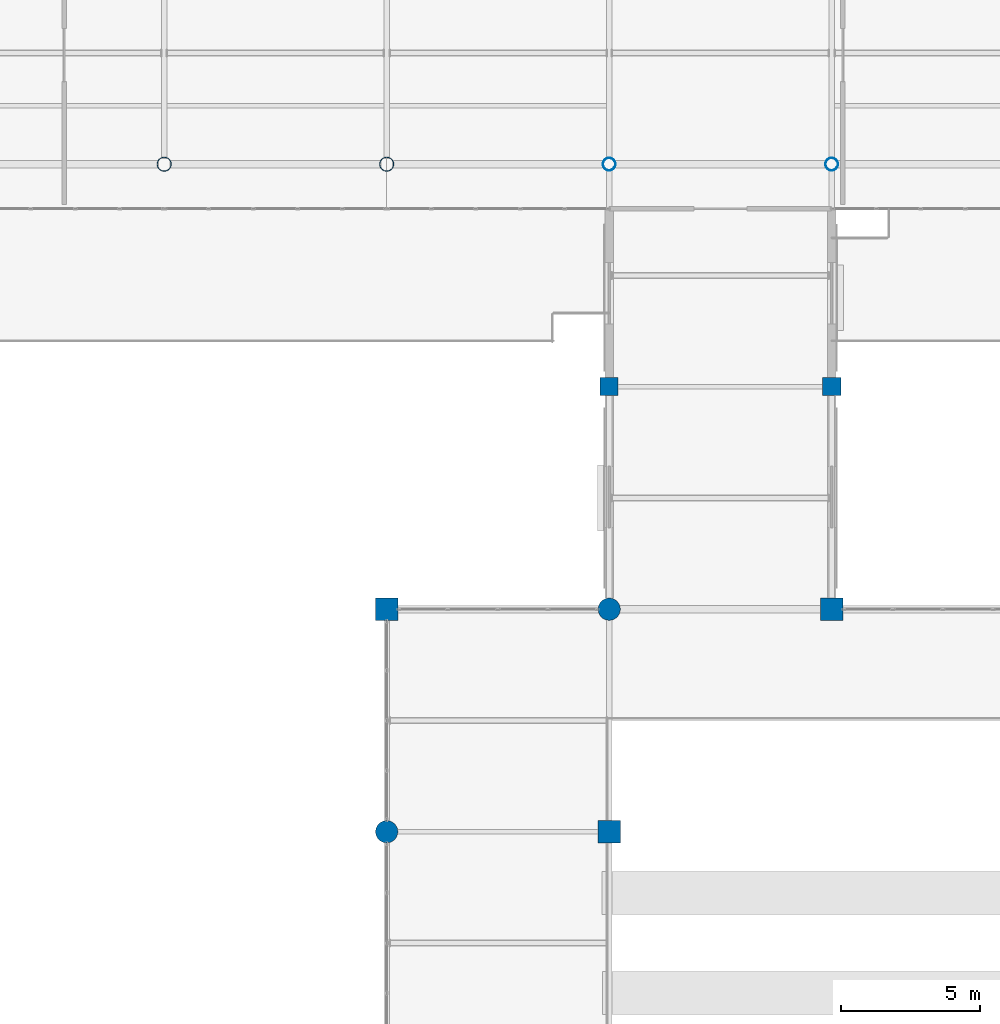
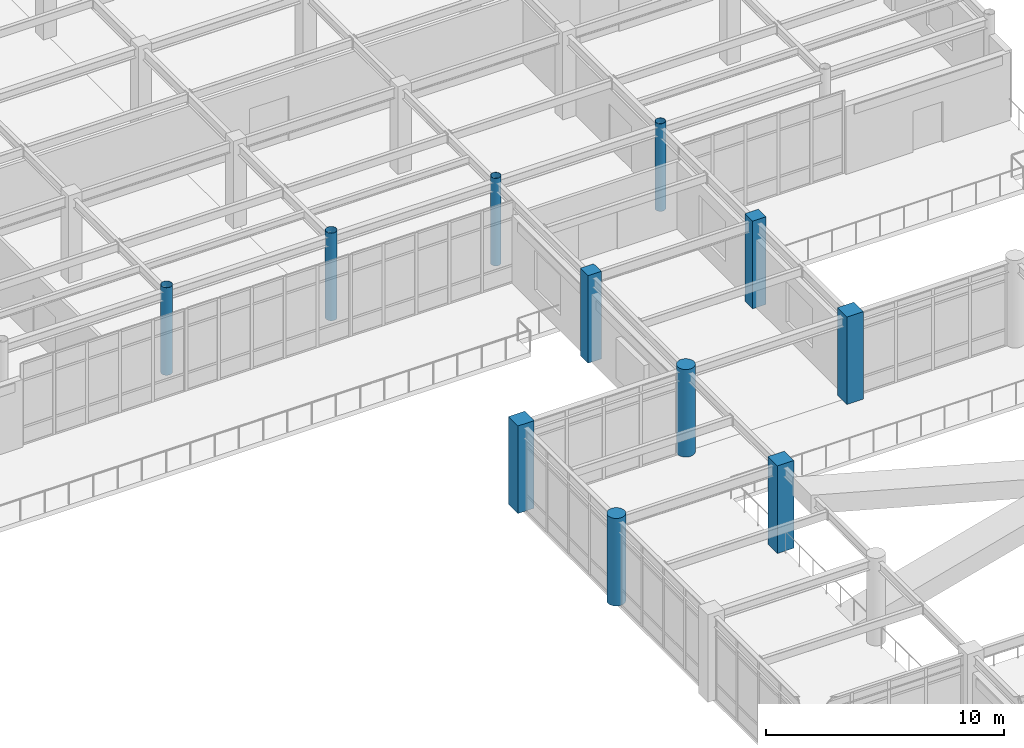
# One storey, part 9 of 93: 11 columns.
"""IFC4 building model written with IfcOpenShell, lengths in metres."""

from ifc_helpers import new_model, si_unit, direction, frame, origin, origin_2d, place, context, subcontext, project, spatial, rectangle, circle, hollow_circle, extrude, material, material_profile, profile_set, type_object, element, save


model = new_model("IFC4")

# Units and contexts
model_context = context("Model", 3, precision=1e-05, world=origin(), true_north=direction((0.0, 1.0)))
body_context = subcontext(model_context, "Body", "Model", "MODEL_VIEW")
ifc_project = project(units=[si_unit("LENGTHUNIT", "METRE"), si_unit("AREAUNIT", "SQUARE_METRE"), si_unit("VOLUMEUNIT", "CUBIC_METRE"), si_unit("PLANEANGLEUNIT", "RADIAN"), si_unit("MASSUNIT", "GRAM", prefix="KILO")], contexts=[model_context])

# Site, building, storey
site_placement = place(None, origin())
site = spatial("IfcSite", under=ifc_project, at=site_placement, CompositionType="ELEMENT")
building_placement = place(site_placement, origin())
building = spatial("IfcBuilding", under=site, at=building_placement, Name="Solmirada Galleria", CompositionType="ELEMENT")
storey_placement = place(building_placement, frame((0.0, 0.0, 14.89990234375)))
storey = spatial("IfcBuildingStorey", under=building, at=storey_placement, Name="L03", CompositionType="ELEMENT", Elevation=14.89990234375)

# Columns
ifc_material_1 = material(Name="Steel S355 / ASTM A500 Grade C", Category="steel")
ifc_material_profile_1 = material_profile(ifc_material_1, hollow_circle(Radius=0.228515625, WallThickness=0.01171875, at=origin_2d()), Name="HSS18.000X0.500")
ifc_profile_set_1 = profile_set([ifc_material_profile_1], Name="Steel S355 / ASTM A500 Grade C")
column_type_1 = type_object("IfcColumnType", Name="COL-CHS18", PredefinedType="COLUMN", material=ifc_profile_set_1)
for number, where, z_axis, x_axis, name in (
    (1, (88.0, 88.0, 0.0), (0.0, 0.0, 1.0), (1.0, 0.0, 0.0), "Structural column L03-0553"),
    (2, (96.0, 88.0, 0.0), (0.0, 0.0, 1.0), (1.0, 0.0, 0.0), "Structural column L03-0661"),
):
    element("IfcColumn", number, at=place(storey_placement, frame(where, z_axis=z_axis, x_axis=x_axis)), inside=storey, type_object=column_type_1, Name=name, PredefinedType="COLUMN", context=body_context, shape_type="SweptSolid", body=[
        extrude(hollow_circle(Radius=0.228515625, WallThickness=0.01171875, at=origin_2d()), origin(), (0.0, 0.0, 1.0), 4.5),
    ])
ifc_material_profile_2 = material_profile(ifc_material_1, hollow_circle(Radius=0.25390625, WallThickness=0.01171875, at=origin_2d()), Name="HSS20.000X0.500")
ifc_profile_set_2 = profile_set([ifc_material_profile_2], Name="Steel S355 / ASTM A500 Grade C")
column_type_2 = type_object("IfcColumnType", Name="COL-CHS20", PredefinedType="COLUMN", material=ifc_profile_set_2)
for number, where, z_axis, x_axis, name in (
    (3, (72.0, 88.0, 0.0), (0.0, 0.0, 1.0), (1.0, 0.0, 0.0), "Structural column L03-0314"),
    (4, (80.0, 88.0, 0.0), (0.0, 0.0, 1.0), (1.0, 0.0, 0.0), "Structural column L03-0431"),
):
    element("IfcColumn", number, at=place(storey_placement, frame(where, z_axis=z_axis, x_axis=x_axis)), inside=storey, type_object=column_type_2, Name=name, PredefinedType="COLUMN", context=body_context, shape_type="SweptSolid", body=[
        extrude(hollow_circle(Radius=0.25390625, WallThickness=0.01171875, at=origin_2d()), origin(), (0.0, 0.0, 1.0), 4.5),
    ])
ifc_material_2 = material(Name="Concrete C40/50", Category="concrete")
ifc_material_profile_3 = material_profile(ifc_material_2, circle(Radius=0.39990234375, at=origin_2d()), Name="RCCOL800")
ifc_profile_set_3 = profile_set([ifc_material_profile_3], Name="Concrete C40/50")
column_type_3 = type_object("IfcColumnType", Name="COL-CIR800", PredefinedType="COLUMN", material=ifc_profile_set_3)
for number, where, z_axis, x_axis, name in (
    (5, (80.0, 64.0, 0.0), (0.0, 0.0, 1.0), (1.0, 0.0, 0.0), "Structural column L03-0409"),
    (6, (88.0, 72.0, 0.0), (0.0, 0.0, 1.0), (1.0, 0.0, 0.0), "Structural column L03-0537"),
):
    element("IfcColumn", number, at=place(storey_placement, frame(where, z_axis=z_axis, x_axis=x_axis)), inside=storey, type_object=column_type_3, Name=name, PredefinedType="COLUMN", context=body_context, shape_type="SweptSolid", body=[
        extrude(circle(Radius=0.39990234375, at=origin_2d()), origin(), (0.0, 0.0, 1.0), 4.5),
    ])
ifc_material_profile_4 = material_profile(ifc_material_2, rectangle(XDim=0.64990234375, YDim=0.64990234375, at=origin_2d()), Name="RC650X650")
ifc_profile_set_4 = profile_set([ifc_material_profile_4], Name="Concrete C40/50")
column_type_4 = type_object("IfcColumnType", Name="COL-RC650", PredefinedType="COLUMN", material=ifc_profile_set_4)
for number, where, z_axis, x_axis, name in (
    (7, (88.0, 80.0, 0.0), (0.0, 0.0, 1.0), (1.0, 0.0, 0.0), "Structural column L03-0546"),
    (8, (96.0, 80.0, 0.0), (0.0, 0.0, 1.0), (1.0, 0.0, 0.0), "Structural column L03-0654"),
):
    element("IfcColumn", number, at=place(storey_placement, frame(where, z_axis=z_axis, x_axis=x_axis)), inside=storey, type_object=column_type_4, Name=name, PredefinedType="COLUMN", context=body_context, shape_type="SweptSolid", body=[
        extrude(rectangle(XDim=0.64990234375, YDim=0.64990234375, at=origin_2d()), origin(), (0.0, 0.0, 1.0), 4.5),
    ])
ifc_material_profile_5 = material_profile(ifc_material_2, rectangle(XDim=0.800048828125, YDim=0.800048828125, at=origin_2d()), Name="RC800X800")
ifc_profile_set_5 = profile_set([ifc_material_profile_5], Name="Concrete C40/50")
column_type_5 = type_object("IfcColumnType", Name="COL-RC800", PredefinedType="COLUMN", material=ifc_profile_set_5)
for number, where, z_axis, x_axis, name in (
    (9, (80.0, 72.0, 0.0), (0.0, 0.0, 1.0), (1.0, 0.0, 0.0), "Structural column L03-0418"),
    (10, (88.0, 64.0, 0.0), (0.0, 0.0, 1.0), (1.0, 0.0, 0.0), "Structural column L03-0530"),
    (11, (96.0, 72.0, 0.0), (0.0, 0.0, 1.0), (1.0, 0.0, 0.0), "Structural column L03-0645"),
):
    element("IfcColumn", number, at=place(storey_placement, frame(where, z_axis=z_axis, x_axis=x_axis)), inside=storey, type_object=column_type_5, Name=name, PredefinedType="COLUMN", context=body_context, shape_type="SweptSolid", body=[
        extrude(rectangle(XDim=0.800048828125, YDim=0.800048828125, at=origin_2d()), origin(), (0.0, 0.0, 1.0), 4.5),
    ])

save(model, "model.ifc")
